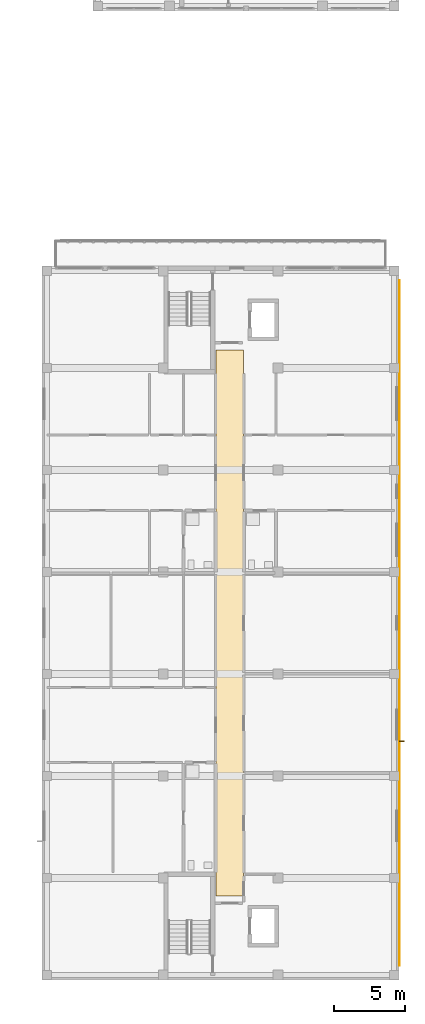
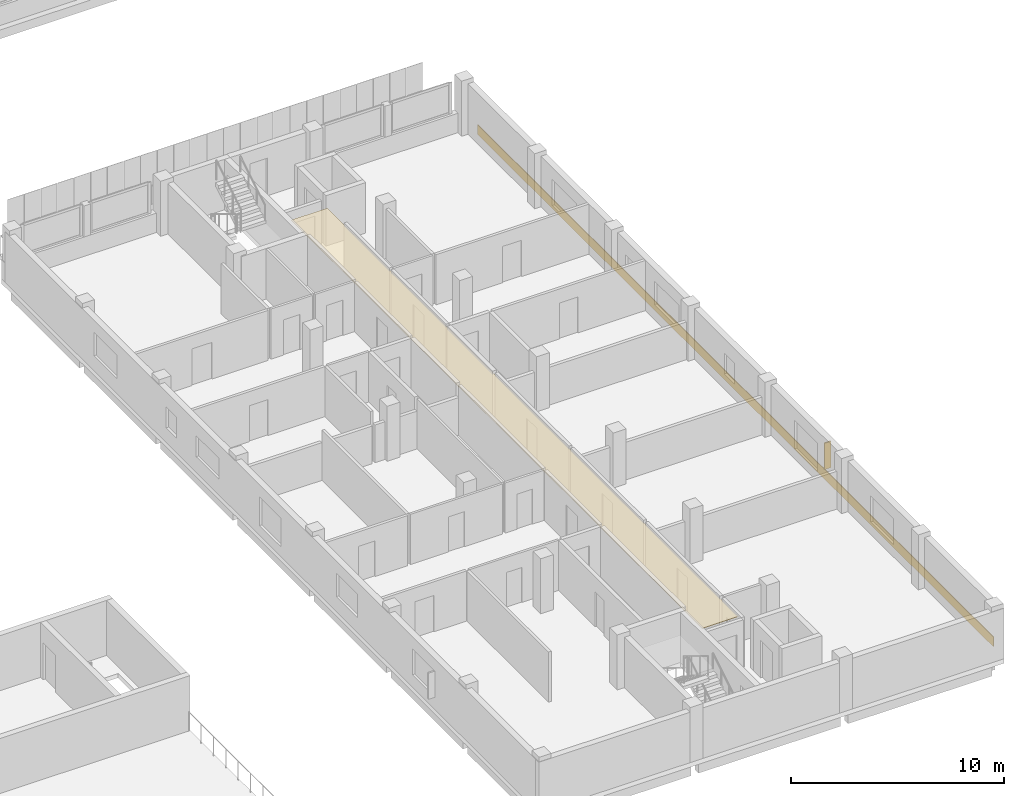
# One storey, part 51 of 56: 2 coverings, 1 shading device.
"""IFC4 building model written with IfcOpenShell, lengths in metres."""

from ifc_helpers import new_model, si_unit, derived_unit, direction, frame, origin, origin_2d, place, context, subcontext, project, spatial, polyline, rectangle, outline, extrude, material, layer, layer_set, type_object, element, save


model = new_model("IFC4")

# Units and contexts
model_context = context("Model", 3, precision=1e-05, world=origin(), true_north=direction((0.0, 1.0)))
body_context = subcontext(model_context, "Body", "Model", "MODEL_VIEW")
ifc_project = project(units=[si_unit("LENGTHUNIT", "METRE"), si_unit("AREAUNIT", "SQUARE_METRE"), si_unit("VOLUMEUNIT", "CUBIC_METRE"), si_unit("PLANEANGLEUNIT", "RADIAN"), si_unit("MASSUNIT", "GRAM", prefix="KILO"), derived_unit("THERMALTRANSMITTANCEUNIT", [(si_unit("MASSUNIT", "GRAM", prefix="KILO"), 1), (si_unit("TIMEUNIT", "SECOND"), -3), (si_unit("THERMODYNAMICTEMPERATUREUNIT", "KELVIN"), -1)])], contexts=[model_context])

# Site, building, storey
site_placement = place(None, origin())
site = spatial("IfcSite", under=ifc_project, at=site_placement, CompositionType="ELEMENT")
building_placement = place(site_placement, origin())
building = spatial("IfcBuilding", under=site, at=building_placement, Name="Ochrekiln Boulevard Commons", CompositionType="ELEMENT")
storey_placement = place(building_placement, frame((0.0, 0.0, 12.074951171875)))
storey = spatial("IfcBuildingStorey", under=building, at=storey_placement, Name="L03", CompositionType="ELEMENT", Elevation=12.074951171875)

# Coverings
ifc_material_1 = material(Name="Mineral-fibre acoustic ceiling tile")
ifc_layer_1 = layer(ifc_material_1, 0.02490234375)
ifc_layer_set_1 = layer_set([ifc_layer_1], Name="Mineral-fibre acoustic ceiling tile")
covering_type_1 = type_object("IfcCoveringType", Name="COV-CEIL-AC", PredefinedType="CEILING", material=ifc_layer_set_1)
covering_1_placement = place(storey_placement, frame((0.0, 0.0, 2.650146484375)))
element("IfcCovering", 1, at=covering_1_placement, inside=storey, type_object=covering_type_1, Name="L03 Acoustic Corridor Ceiling 41", PredefinedType="CEILING", context=body_context, shape_type="SweptSolid", body=[
    extrude(outline(polyline([(159.8701171875, 5.919921875), (161.830078125, 5.919921875), (161.830078125, 44.47998046875), (159.8701171875, 44.47998046875), (159.8701171875, 5.919921875)])), origin(), (0.0, 0.0, 1.0), 0.02490234375),
])
ifc_material_2 = material(Name="Glazed architectural terracotta ASTM C1405", Category="masonry")
ifc_layer_2 = layer(ifc_material_2, 0.0400390625)
ifc_layer_set_2 = layer_set([ifc_layer_2], Name="Glazed architectural terracotta ASTM C1405")
covering_type_2 = type_object("IfcCoveringType", Name="COV-CLAD-TERRA", PredefinedType="CLADDING", material=ifc_layer_set_2)
covering_2_placement = place(storey_placement, frame((172.820068359375, 25.199951171875, 0.0751953125), z_axis=(0.0, 0.0, 1.0), x_axis=(1.0, 0.0, 0.0)))
element("IfcCovering", 2, at=covering_2_placement, inside=storey, type_object=covering_type_2, Name="Block C L03 Glazed Terracotta Spandrel Band", PredefinedType="CLADDING", context=body_context, shape_type="SweptSolid", body=[
    extrude(rectangle(XDim=0.0400390625, YDim=48.39990234375, at=origin_2d()), origin(), (0.0, 0.0, 1.0), 0.550048828125),
])

# Shading device
shading_device_type = type_object("IfcShadingDeviceType", Name="SHD-FIN-TERRA", PredefinedType="JALOUSIE", material=ifc_material_2)
shading_device_placement = place(storey_placement, frame((172.969970703125, 16.860107421875, 0.630126953125), z_axis=(0.0, 0.0, 1.0), x_axis=(1.0, 0.0, 0.0)))
element("IfcShadingDevice", 3, at=shading_device_placement, inside=storey, type_object=shading_device_type, Name="Terracotta Solar Shading Fin SF-01 (59)", PredefinedType="JALOUSIE", context=body_context, shape_type="SweptSolid", body=[
    extrude(rectangle(XDim=0.35009765625, YDim=0.080078125, at=origin_2d()), origin(), (0.0, 0.0, 1.0), 1.5),
])

save(model, "model.ifc")
